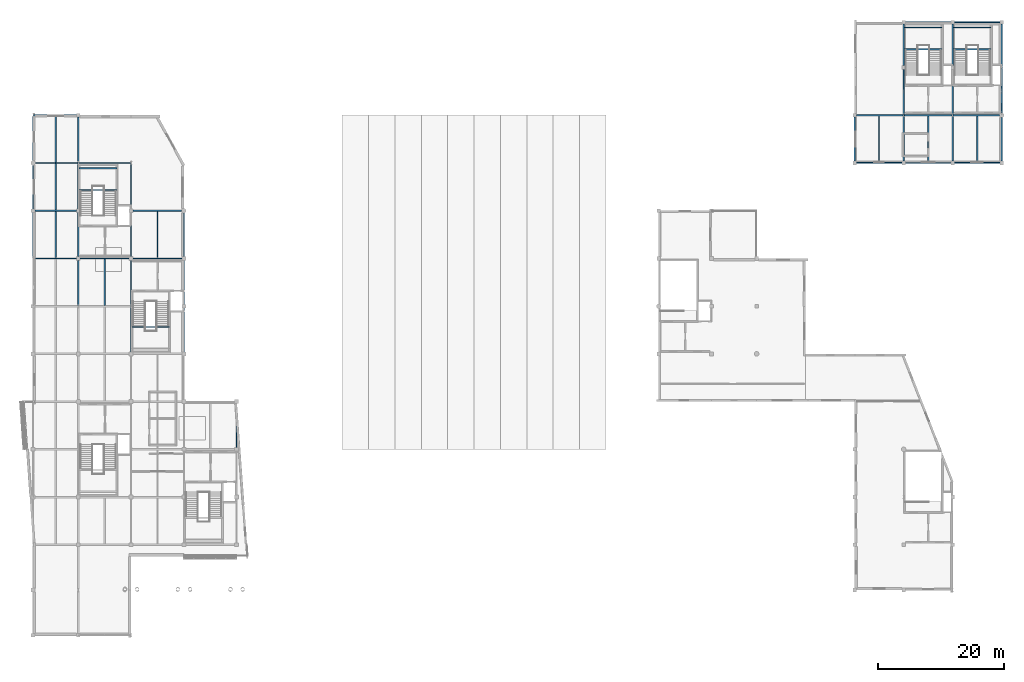
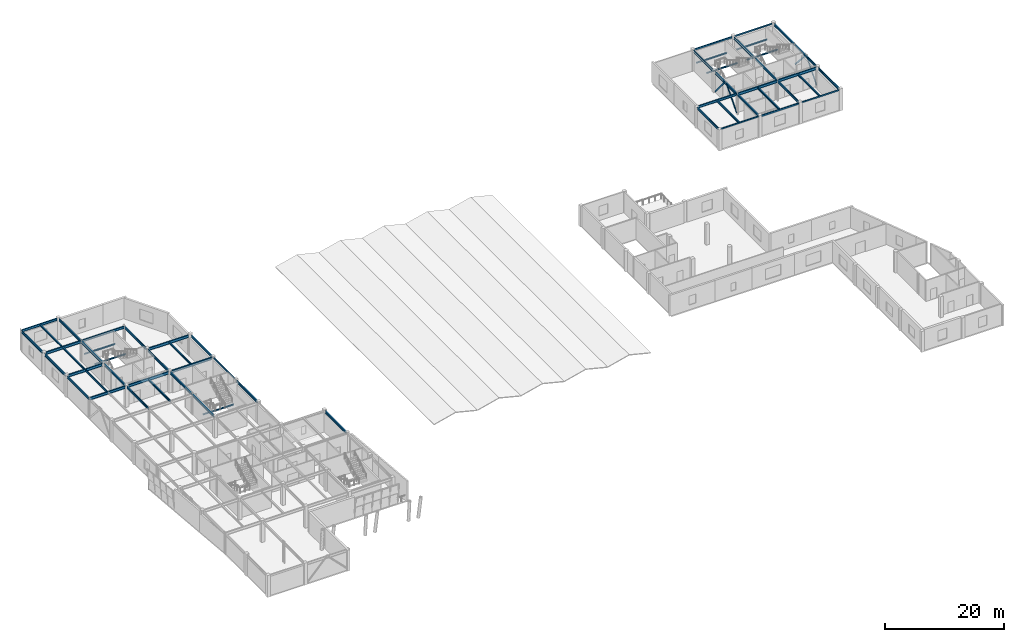
# One storey, part 11 of 28: 56 beams, 4 members.
"""IFC4 building model written with IfcOpenShell, lengths in metres."""

from ifc_helpers import new_model, si_unit, direction, frame, origin, origin_2d, place, context, subcontext, project, spatial, hollow_rectangle, i_section, extrude, material, material_profile, profile_set, type_object, element, save


model = new_model("IFC4")

# Units and contexts
model_context = context("Model", 3, precision=1e-05, world=origin(), true_north=direction((0.0, 1.0)))
body_context = subcontext(model_context, "Body", "Model", "MODEL_VIEW")
ifc_project = project(units=[si_unit("LENGTHUNIT", "METRE"), si_unit("AREAUNIT", "SQUARE_METRE"), si_unit("VOLUMEUNIT", "CUBIC_METRE"), si_unit("PLANEANGLEUNIT", "RADIAN"), si_unit("MASSUNIT", "GRAM", prefix="KILO")], contexts=[model_context])

# Site, building, storey
site_placement = place(None, origin())
site = spatial("IfcSite", under=ifc_project, at=site_placement, CompositionType="ELEMENT")
building_placement = place(site_placement, origin())
building = spatial("IfcBuilding", under=site, at=building_placement, Name="Xicomal Pleat Aquarium", CompositionType="ELEMENT")
storey_placement = place(building_placement, frame((0.0, 0.0, 15.300048828125)))
storey = spatial("IfcBuildingStorey", under=building, at=storey_placement, Name="L04", CompositionType="ELEMENT", Elevation=15.300048828125)

# Beams
ifc_material_1 = material(Name="Structural steel A992 Gr 50", Category="steel")
ifc_material_profile_1 = material_profile(ifc_material_1, i_section(OverallWidth=0.201904296875, OverallDepth=0.2470703125, WebThickness=0.00732421875, FlangeThickness=0.010986328125, at=origin_2d()), Name="IR 250x49")
ifc_profile_set_1 = profile_set([ifc_material_profile_1], Name="Structural steel A992 Gr 50")
beam_type_1 = type_object("IfcBeamType", Name="BM-STL-IR250", PredefinedType="JOIST", material=ifc_profile_set_1)
for number, where, z_axis, x_axis, name in (
    (1, (10.320068359375, 75.14990234375, 1.928955078125), (1.0, 0.0, 0.0), (0.0, 1.0, 0.0), "ST-03-L04 half-landing bearer beam 1"),
    (2, (10.320068359375, 71.7041015625, 1.928955078125), (1.0, 0.0, 0.0), (0.0, 1.0, 0.0), "ST-03-L04 half-landing bearer beam 2"),
    (3, (18.719970703125, 49.89599609375, 1.928955078125), (1.0, 0.0, 0.0), (0.0, 1.0, 0.0), "ST-04-L04 half-landing bearer beam 2"),
    (4, (141.719970703125, 97.550048828125, 1.928955078125), (1.0, 0.0, 0.0), (0.0, 1.0, 0.0), "ST-05-L04 half-landing bearer beam 1"),
    (5, (141.719970703125, 94.10400390625, 1.928955078125), (1.0, 0.0, 0.0), (0.0, 1.0, 0.0), "ST-05-L04 half-landing bearer beam 2"),
    (6, (149.52001953125, 97.550048828125, 1.928955078125), (1.0, 0.0, 0.0), (0.0, 1.0, 0.0), "ST-06-L04 half-landing bearer beam 1"),
    (7, (149.52001953125, 94.10400390625, 1.928955078125), (1.0, 0.0, 0.0), (0.0, 1.0, 0.0), "ST-06-L04 half-landing bearer beam 2"),
):
    element("IfcBeam", number, at=place(storey_placement, frame(where, z_axis=z_axis, x_axis=x_axis)), inside=storey, type_object=beam_type_1, Name=name, PredefinedType="JOIST", context=body_context, shape_type="SweptSolid", body=[
        extrude(i_section(OverallWidth=0.201904296875, OverallDepth=0.2470703125, WebThickness=0.00732421875, FlangeThickness=0.010986328125, at=origin_2d()), origin(), (0.0, 0.0, 1.0), 6.02001953125),
    ])
ifc_material_2 = material(Name="Structural steel A992 Gr 50", Category="steel")
ifc_material_profile_2 = material_profile(ifc_material_2, i_section(OverallWidth=0.202880859375, OverallDepth=0.302978515625, WebThickness=0.007568359375, FlangeThickness=0.01318359375, at=origin_2d()), Name="IR 310x60")
ifc_profile_set_2 = profile_set([ifc_material_profile_2], Name="Structural steel A992 Gr 50")
beam_type_2 = type_object("IfcBeamType", Name="BM-STL-IR310", PredefinedType="JOIST", material=ifc_profile_set_2)
beam_1_placement = place(storey_placement, frame((6.60009765625, 76.10888671875, 4.163330078125), z_axis=(0.0, 1.0, 0.0), x_axis=(-1.0, 0.0, 0.0)))
element("IfcBeam", 8, at=beam_1_placement, inside=storey, type_object=beam_type_2, Name="L04 framing beam FBJ-L04-01-L-1", PredefinedType="JOIST", context=body_context, shape_type="SweptSolid", body=[
    extrude(i_section(OverallWidth=0.202880859375, OverallDepth=0.302978515625, WebThickness=0.007568359375, FlangeThickness=0.01318359375, at=origin_2d()), origin(), (0.0, 0.0, 1.0), 7.39111328125),
])
ifc_material_3 = material(Name="Structural steel A992 Gr 50", Category="steel")
ifc_material_profile_3 = material_profile(ifc_material_3, i_section(OverallWidth=0.205078125, OverallDepth=0.35400390625, WebThickness=0.009521484375, FlangeThickness=0.016845703125, at=origin_2d()), Name="IR 360x79")
ifc_profile_set_3 = profile_set([ifc_material_profile_3], Name="Structural steel A992 Gr 50")
beam_type_3 = type_object("IfcBeamType", Name="BM-STL-IR360", PredefinedType="JOIST", material=ifc_profile_set_3)
for number, where, z_axis, x_axis, name in (
    (9, (6.60009765625, 68.509033203125, 4.113037109375), (0.0, 1.0, 0.0), (-1.0, 0.0, 0.0), "L04 framing beam FBJ-L04-01-K-1"),
    (10, (22.800048828125, 60.908935546875, 4.113037109375), (0.0, 1.0, 0.0), (-1.0, 0.0, 0.0), "L04 framing beam FBJ-L04-03-J-1"),
):
    element("IfcBeam", number, at=place(storey_placement, frame(where, z_axis=z_axis, x_axis=x_axis)), inside=storey, type_object=beam_type_3, Name=name, PredefinedType="JOIST", context=body_context, shape_type="SweptSolid", body=[
        extrude(i_section(OverallWidth=0.205078125, OverallDepth=0.35400390625, WebThickness=0.009521484375, FlangeThickness=0.016845703125, at=origin_2d()), origin(), (0.0, 0.0, 1.0), 7.382080078125),
    ])
beam_2_placement = place(storey_placement, frame((145.5, 76.10302734375, 4.0830078125), z_axis=(0.0, 1.0, 0.0), x_axis=(-1.0, 0.0, 0.0)))
element("IfcBeam", 11, at=beam_2_placement, inside=storey, type_object=beam_type_3, Name="L04 framing beam FBJ-L04-18-L-1", PredefinedType="JOIST", context=body_context, shape_type="SweptSolid", body=[
    extrude(i_section(OverallWidth=0.205078125, OverallDepth=0.35400390625, WebThickness=0.009521484375, FlangeThickness=0.016845703125, at=origin_2d()), origin(), (0.0, 0.0, 1.0), 7.387939453125),
])
beam_3_placement = place(storey_placement, frame((153.300048828125, 76.077880859375, 4.0830078125), z_axis=(0.0, 1.0, 0.0), x_axis=(-1.0, 0.0, 0.0)))
element("IfcBeam", 12, at=beam_3_placement, inside=storey, type_object=beam_type_3, Name="L04 framing beam FBJ-L04-19-L-1", PredefinedType="JOIST", context=body_context, shape_type="SweptSolid", body=[
    extrude(i_section(OverallWidth=0.205078125, OverallDepth=0.35400390625, WebThickness=0.009521484375, FlangeThickness=0.016845703125, at=origin_2d()), origin(), (0.0, 0.0, 1.0), 7.4130859375),
])
ifc_material_4 = material(Name="Structural steel A992 Gr 50", Category="steel")
ifc_material_profile_4 = material_profile(ifc_material_4, i_section(OverallWidth=0.180908203125, OverallDepth=0.4169921875, WebThickness=0.010986328125, FlangeThickness=0.018310546875, at=origin_2d()), Name="IR 410x85")
ifc_profile_set_4 = profile_set([ifc_material_profile_4], Name="Structural steel A992 Gr 50")
beam_type_4 = type_object("IfcBeamType", Name="BM-STL-IR410", PredefinedType="JOIST", material=ifc_profile_set_4)
beam_4_placement = place(storey_placement, frame((6.60009765625, 60.908935546875, 4.08154296875), z_axis=(0.0, 1.0, 0.0), x_axis=(-1.0, 0.0, 0.0)))
element("IfcBeam", 13, at=beam_4_placement, inside=storey, type_object=beam_type_4, Name="L04 framing beam FBJ-L04-01-J-1", PredefinedType="JOIST", context=body_context, shape_type="SweptSolid", body=[
    extrude(i_section(OverallWidth=0.180908203125, OverallDepth=0.4169921875, WebThickness=0.010986328125, FlangeThickness=0.018310546875, at=origin_2d()), origin(), (0.0, 0.0, 1.0), 7.382080078125),
])
beam_5_placement = place(storey_placement, frame((14.39990234375, 53.30908203125, 4.08154296875), z_axis=(0.0, 1.0, 0.0), x_axis=(-1.0, 0.0, 0.0)))
element("IfcBeam", 14, at=beam_5_placement, inside=storey, type_object=beam_type_4, Name="L04 framing beam FBJ-L04-02-H-1", PredefinedType="JOIST", context=body_context, shape_type="SweptSolid", body=[
    extrude(i_section(OverallWidth=0.180908203125, OverallDepth=0.4169921875, WebThickness=0.010986328125, FlangeThickness=0.018310546875, at=origin_2d()), origin(), (0.0, 0.0, 1.0), 7.3818359375),
])
beam_6_placement = place(storey_placement, frame((137.699951171875, 76.077880859375, 4.1015625), z_axis=(0.0, 1.0, 0.0), x_axis=(-1.0, 0.0, 0.0)))
element("IfcBeam", 15, at=beam_6_placement, inside=storey, type_object=beam_type_4, Name="L04 framing beam FBJ-L04-17-L-1", PredefinedType="JOIST", context=body_context, shape_type="SweptSolid", body=[
    extrude(i_section(OverallWidth=0.180908203125, OverallDepth=0.4169921875, WebThickness=0.010986328125, FlangeThickness=0.018310546875, at=origin_2d()), origin(), (0.0, 0.0, 1.0), 7.422119140625),
])
ifc_material_5 = material(Name="Structural steel A992 Gr 50", Category="steel")
ifc_material_profile_5 = material_profile(ifc_material_5, i_section(OverallWidth=0.194091796875, OverallDepth=0.468994140625, WebThickness=0.0126953125, FlangeThickness=0.0205078125, at=origin_2d()), Name="IR 460x106")
ifc_profile_set_5 = profile_set([ifc_material_profile_5], Name="Structural steel A992 Gr 50")
beam_type_5 = type_object("IfcBeamType", Name="BM-STL-IR460", PredefinedType="BEAM", material=ifc_profile_set_5)
beam_7_placement = place(storey_placement, frame((10.2919921875, 76.0, 4.055419921875), z_axis=(1.0, 0.0, 0.0), x_axis=(0.0, 1.0, 0.0)))
element("IfcBeam", 16, at=beam_7_placement, inside=storey, type_object=beam_type_5, Name="L04 framing beam FGX-L04-02-03-L", PredefinedType="BEAM", context=body_context, shape_type="SweptSolid", body=[
    extrude(i_section(OverallWidth=0.194091796875, OverallDepth=0.468994140625, WebThickness=0.0126953125, FlangeThickness=0.0205078125, at=origin_2d()), origin(), (0.0, 0.0, 1.0), 8.216064453125),
])
beam_8_placement = place(storey_placement, frame((3.092041015625, 83.60009765625, 4.08056640625), z_axis=(1.0, 0.0, 0.0), x_axis=(0.0, 1.0, 0.0)))
element("IfcBeam", 17, at=beam_8_placement, inside=storey, type_object=beam_type_5, Name="L04 framing beam FGX-L04-01-02-M", PredefinedType="BEAM", context=body_context, shape_type="SweptSolid", body=[
    extrude(i_section(OverallWidth=0.194091796875, OverallDepth=0.468994140625, WebThickness=0.0126953125, FlangeThickness=0.0205078125, at=origin_2d()), origin(), (0.0, 0.0, 1.0), 6.81298828125),
])
beam_9_placement = place(storey_placement, frame((134.094970703125, 83.60009765625, 4.075439453125), z_axis=(1.0, 0.0, 0.0), x_axis=(0.0, 1.0, 0.0)))
element("IfcBeam", 18, at=beam_9_placement, inside=storey, type_object=beam_type_5, Name="L04 framing beam FGX-L04-17-18-M", PredefinedType="BEAM", context=body_context, shape_type="SweptSolid", body=[
    extrude(i_section(OverallWidth=0.194091796875, OverallDepth=0.468994140625, WebThickness=0.0126953125, FlangeThickness=0.0205078125, at=origin_2d()), origin(), (0.0, 0.0, 1.0), 7.4130859375),
])
beam_10_placement = place(storey_placement, frame((3.0, 60.89208984375, 4.055419921875), z_axis=(0.0, 1.0, 0.0), x_axis=(-1.0, 0.0, 0.0)))
element("IfcBeam", 19, at=beam_10_placement, inside=storey, type_object=beam_type_5, Name="L04 framing beam FGY-L04-01-J-K", PredefinedType="BEAM", context=body_context, shape_type="SweptSolid", body=[
    extrude(i_section(OverallWidth=0.194091796875, OverallDepth=0.468994140625, WebThickness=0.0126953125, FlangeThickness=0.0205078125, at=origin_2d()), origin(), (0.0, 0.0, 1.0), 7.212890625),
])
beam_11_placement = place(storey_placement, frame((3.0, 68.695068359375, 4.055419921875), z_axis=(0.0, 1.0, 0.0), x_axis=(-1.0, 0.0, 0.0)))
element("IfcBeam", 20, at=beam_11_placement, inside=storey, type_object=beam_type_5, Name="L04 framing beam FGY-L04-01-K-L", PredefinedType="BEAM", context=body_context, shape_type="SweptSolid", body=[
    extrude(i_section(OverallWidth=0.194091796875, OverallDepth=0.468994140625, WebThickness=0.0126953125, FlangeThickness=0.0205078125, at=origin_2d()), origin(), (0.0, 0.0, 1.0), 6.934814453125),
])
beam_12_placement = place(storey_placement, frame((3.0, 76.3701171875, 4.08056640625), z_axis=(0.0, 1.0, 0.0), x_axis=(-1.0, 0.0, 0.0)))
element("IfcBeam", 21, at=beam_12_placement, inside=storey, type_object=beam_type_5, Name="L04 framing beam FGY-L04-01-L-M", PredefinedType="BEAM", context=body_context, shape_type="SweptSolid", body=[
    extrude(i_section(OverallWidth=0.194091796875, OverallDepth=0.468994140625, WebThickness=0.0126953125, FlangeThickness=0.0205078125, at=origin_2d()), origin(), (0.0, 0.0, 1.0), 7.137939453125),
])
beam_13_placement = place(storey_placement, frame((10.199951171875, 53.2919921875, 4.055419921875), z_axis=(0.0, 1.0, 0.0), x_axis=(-1.0, 0.0, 0.0)))
element("IfcBeam", 22, at=beam_13_placement, inside=storey, type_object=beam_type_5, Name="L04 framing beam FGY-L04-02-H-J", PredefinedType="BEAM", context=body_context, shape_type="SweptSolid", body=[
    extrude(i_section(OverallWidth=0.194091796875, OverallDepth=0.468994140625, WebThickness=0.0126953125, FlangeThickness=0.0205078125, at=origin_2d()), origin(), (0.0, 0.0, 1.0), 7.212890625),
])
beam_14_placement = place(storey_placement, frame((10.199951171875, 61.094970703125, 4.055419921875), z_axis=(0.0, 1.0, 0.0), x_axis=(-1.0, 0.0, 0.0)))
element("IfcBeam", 23, at=beam_14_placement, inside=storey, type_object=beam_type_5, Name="L04 framing beam FGY-L04-02-J-K", PredefinedType="BEAM", context=body_context, shape_type="SweptSolid", body=[
    extrude(i_section(OverallWidth=0.194091796875, OverallDepth=0.468994140625, WebThickness=0.0126953125, FlangeThickness=0.0205078125, at=origin_2d()), origin(), (0.0, 0.0, 1.0), 7.010009765625),
])
for number, where, z_axis, x_axis, name in (
    (24, (10.199951171875, 68.695068359375, 4.055419921875), (0.0, 1.0, 0.0), (-1.0, 0.0, 0.0), "L04 framing beam FGY-L04-02-K-L"),
    (25, (10.199951171875, 76.092041015625, 4.08056640625), (0.0, 1.0, 0.0), (-1.0, 0.0, 0.0), "L04 framing beam FGY-L04-02-L-M"),
    (26, (18.60009765625, 45.89501953125, 4.055419921875), (0.0, 1.0, 0.0), (-1.0, 0.0, 0.0), "L04 framing beam FGY-L04-03-G-H"),
    (27, (18.60009765625, 53.2919921875, 4.055419921875), (0.0, 1.0, 0.0), (-1.0, 0.0, 0.0), "L04 framing beam FGY-L04-03-H-J"),
):
    element("IfcBeam", number, at=place(storey_placement, frame(where, z_axis=z_axis, x_axis=x_axis)), inside=storey, type_object=beam_type_5, Name=name, PredefinedType="BEAM", context=body_context, shape_type="SweptSolid", body=[
        extrude(i_section(OverallWidth=0.194091796875, OverallDepth=0.468994140625, WebThickness=0.0126953125, FlangeThickness=0.0205078125, at=origin_2d()), origin(), (0.0, 0.0, 1.0), 7.212890625),
    ])
beam_15_placement = place(storey_placement, frame((18.60009765625, 61.094970703125, 4.055419921875), z_axis=(0.0, 1.0, 0.0), x_axis=(-1.0, 0.0, 0.0)))
element("IfcBeam", 28, at=beam_15_placement, inside=storey, type_object=beam_type_5, Name="L04 framing beam FGY-L04-03-J-K", PredefinedType="BEAM", context=body_context, shape_type="SweptSolid", body=[
    extrude(i_section(OverallWidth=0.194091796875, OverallDepth=0.468994140625, WebThickness=0.0126953125, FlangeThickness=0.0205078125, at=origin_2d()), origin(), (0.0, 0.0, 1.0), 7.010009765625),
])
beam_16_placement = place(storey_placement, frame((18.60009765625, 68.695068359375, 4.055419921875), z_axis=(0.0, 1.0, 0.0), x_axis=(-1.0, 0.0, 0.0)))
element("IfcBeam", 29, at=beam_16_placement, inside=storey, type_object=beam_type_5, Name="L04 framing beam FGY-L04-03-K-L", PredefinedType="BEAM", context=body_context, shape_type="SweptSolid", body=[
    extrude(i_section(OverallWidth=0.194091796875, OverallDepth=0.468994140625, WebThickness=0.0126953125, FlangeThickness=0.0205078125, at=origin_2d()), origin(), (0.0, 0.0, 1.0), 7.212890625),
])
beam_17_placement = place(storey_placement, frame((27.0, 45.89501953125, 4.055419921875), z_axis=(0.0, 1.0, 0.0), x_axis=(-1.0, 0.0, 0.0)))
element("IfcBeam", 30, at=beam_17_placement, inside=storey, type_object=beam_type_5, Name="L04 framing beam FGY-L04-04-G-H", PredefinedType="BEAM", context=body_context, shape_type="SweptSolid", body=[
    extrude(i_section(OverallWidth=0.194091796875, OverallDepth=0.468994140625, WebThickness=0.0126953125, FlangeThickness=0.0205078125, at=origin_2d()), origin(), (0.0, 0.0, 1.0), 7.010009765625),
])
beam_18_placement = place(storey_placement, frame((27.0, 61.094970703125, 4.055419921875), z_axis=(0.0, 1.0, 0.0), x_axis=(-1.0, 0.0, 0.0)))
element("IfcBeam", 31, at=beam_18_placement, inside=storey, type_object=beam_type_5, Name="L04 framing beam FGY-L04-04-J-K", PredefinedType="BEAM", context=body_context, shape_type="SweptSolid", body=[
    extrude(i_section(OverallWidth=0.194091796875, OverallDepth=0.468994140625, WebThickness=0.0126953125, FlangeThickness=0.0205078125, at=origin_2d()), origin(), (0.0, 0.0, 1.0), 6.93505859375),
])
for number, where, z_axis, x_axis, name in (
    (32, (35.39990234375, 30.695068359375, 4.055419921875), (0.0, 1.0, 0.0), (-1.0, 0.0, 0.0), "L04 framing beam FGY-L04-05-E-F"),
    (33, (133.800048828125, 76.294921875, 4.075439453125), (0.0, 1.0, 0.0), (-1.0, 0.0, 0.0), "L04 framing beam FGY-L04-17-L-M"),
):
    element("IfcBeam", number, at=place(storey_placement, frame(where, z_axis=z_axis, x_axis=x_axis)), inside=storey, type_object=beam_type_5, Name=name, PredefinedType="BEAM", context=body_context, shape_type="SweptSolid", body=[
        extrude(i_section(OverallWidth=0.194091796875, OverallDepth=0.468994140625, WebThickness=0.0126953125, FlangeThickness=0.0205078125, at=origin_2d()), origin(), (0.0, 0.0, 1.0), 7.010009765625),
    ])
for number, where, z_axis, x_axis, name in (
    (34, (141.60009765625, 76.294921875, 4.025390625), (0.0, 1.0, 0.0), (-1.0, 0.0, 0.0), "L04 framing beam FGY-L04-18-L-M"),
    (35, (141.60009765625, 83.69189453125, 4.025390625), (0.0, 1.0, 0.0), (-1.0, 0.0, 0.0), "L04 framing beam FGY-L04-18-M-N"),
):
    element("IfcBeam", number, at=place(storey_placement, frame(where, z_axis=z_axis, x_axis=x_axis)), inside=storey, type_object=beam_type_5, Name=name, PredefinedType="BEAM", context=body_context, shape_type="SweptSolid", body=[
        extrude(i_section(OverallWidth=0.194091796875, OverallDepth=0.468994140625, WebThickness=0.0126953125, FlangeThickness=0.0205078125, at=origin_2d()), origin(), (0.0, 0.0, 1.0), 7.213134765625),
    ])
beam_19_placement = place(storey_placement, frame((141.60009765625, 91.4951171875, 4.025390625), z_axis=(0.0, 1.0, 0.0), x_axis=(-1.0, 0.0, 0.0)))
element("IfcBeam", 36, at=beam_19_placement, inside=storey, type_object=beam_type_5, Name="L04 framing beam FGY-L04-18-N-P", PredefinedType="BEAM", context=body_context, shape_type="SweptSolid", body=[
    extrude(i_section(OverallWidth=0.194091796875, OverallDepth=0.468994140625, WebThickness=0.0126953125, FlangeThickness=0.0205078125, at=origin_2d()), origin(), (0.0, 0.0, 1.0), 6.60986328125),
])
for number, where, z_axis, x_axis, name in (
    (37, (149.39990234375, 76.294921875, 4.025390625), (0.0, 1.0, 0.0), (-1.0, 0.0, 0.0), "L04 framing beam FGY-L04-19-L-M"),
    (38, (149.39990234375, 83.69189453125, 4.025390625), (0.0, 1.0, 0.0), (-1.0, 0.0, 0.0), "L04 framing beam FGY-L04-19-M-N"),
):
    element("IfcBeam", number, at=place(storey_placement, frame(where, z_axis=z_axis, x_axis=x_axis)), inside=storey, type_object=beam_type_5, Name=name, PredefinedType="BEAM", context=body_context, shape_type="SweptSolid", body=[
        extrude(i_section(OverallWidth=0.194091796875, OverallDepth=0.468994140625, WebThickness=0.0126953125, FlangeThickness=0.0205078125, at=origin_2d()), origin(), (0.0, 0.0, 1.0), 7.213134765625),
    ])
beam_20_placement = place(storey_placement, frame((149.39990234375, 91.4951171875, 4.025390625), z_axis=(0.0, 1.0, 0.0), x_axis=(-1.0, 0.0, 0.0)))
element("IfcBeam", 39, at=beam_20_placement, inside=storey, type_object=beam_type_5, Name="L04 framing beam FGY-L04-19-N-P", PredefinedType="BEAM", context=body_context, shape_type="SweptSolid", body=[
    extrude(i_section(OverallWidth=0.194091796875, OverallDepth=0.468994140625, WebThickness=0.0126953125, FlangeThickness=0.0205078125, at=origin_2d()), origin(), (0.0, 0.0, 1.0), 6.60986328125),
])
beam_21_placement = place(storey_placement, frame((157.199951171875, 76.294921875, 4.025390625), z_axis=(0.0, 1.0, 0.0), x_axis=(-1.0, 0.0, 0.0)))
element("IfcBeam", 40, at=beam_21_placement, inside=storey, type_object=beam_type_5, Name="L04 framing beam FGY-L04-20-L-M", PredefinedType="BEAM", context=body_context, shape_type="SweptSolid", body=[
    extrude(i_section(OverallWidth=0.194091796875, OverallDepth=0.468994140625, WebThickness=0.0126953125, FlangeThickness=0.0205078125, at=origin_2d()), origin(), (0.0, 0.0, 1.0), 6.93505859375),
])
beam_22_placement = place(storey_placement, frame((157.199951171875, 83.969970703125, 4.025390625), z_axis=(0.0, 1.0, 0.0), x_axis=(-1.0, 0.0, 0.0)))
element("IfcBeam", 41, at=beam_22_placement, inside=storey, type_object=beam_type_5, Name="L04 framing beam FGY-L04-20-M-N", PredefinedType="BEAM", context=body_context, shape_type="SweptSolid", body=[
    extrude(i_section(OverallWidth=0.194091796875, OverallDepth=0.468994140625, WebThickness=0.0126953125, FlangeThickness=0.0205078125, at=origin_2d()), origin(), (0.0, 0.0, 1.0), 7.137939453125),
])
beam_23_placement = place(storey_placement, frame((157.199951171875, 91.2919921875, 4.025390625), z_axis=(0.0, 1.0, 0.0), x_axis=(-1.0, 0.0, 0.0)))
element("IfcBeam", 42, at=beam_23_placement, inside=storey, type_object=beam_type_5, Name="L04 framing beam FGY-L04-20-N-P", PredefinedType="BEAM", context=body_context, shape_type="SweptSolid", body=[
    extrude(i_section(OverallWidth=0.194091796875, OverallDepth=0.468994140625, WebThickness=0.0126953125, FlangeThickness=0.0205078125, at=origin_2d()), origin(), (0.0, 0.0, 1.0), 6.81298828125),
])
ifc_material_6 = material(Name="Structural steel A992 Gr 50", Category="steel")
ifc_material_profile_6 = material_profile(ifc_material_6, i_section(OverallWidth=0.2119140625, OverallDepth=0.5439453125, WebThickness=0.01318359375, FlangeThickness=0.021240234375, at=origin_2d()), Name="IR 530x123")
ifc_profile_set_6 = profile_set([ifc_material_profile_6], Name="Structural steel A992 Gr 50")
beam_type_6 = type_object("IfcBeamType", Name="BM-STL-IR530", PredefinedType="BEAM", material=ifc_profile_set_6)
beam_24_placement = place(storey_placement, frame((3.092041015625, 60.800048828125, 4.01806640625), z_axis=(1.0, 0.0, 0.0), x_axis=(0.0, 1.0, 0.0)))
element("IfcBeam", 43, at=beam_24_placement, inside=storey, type_object=beam_type_6, Name="L04 framing beam FGX-L04-01-02-J", PredefinedType="BEAM", context=body_context, shape_type="SweptSolid", body=[
    extrude(i_section(OverallWidth=0.2119140625, OverallDepth=0.5439453125, WebThickness=0.01318359375, FlangeThickness=0.021240234375, at=origin_2d()), origin(), (0.0, 0.0, 1.0), 6.81298828125),
])
beam_25_placement = place(storey_placement, frame((10.4951171875, 60.800048828125, 4.01806640625), z_axis=(1.0, 0.0, 0.0), x_axis=(0.0, 1.0, 0.0)))
element("IfcBeam", 44, at=beam_25_placement, inside=storey, type_object=beam_type_6, Name="L04 framing beam FGX-L04-02-03-J", PredefinedType="BEAM", context=body_context, shape_type="SweptSolid", body=[
    extrude(i_section(OverallWidth=0.2119140625, OverallDepth=0.5439453125, WebThickness=0.01318359375, FlangeThickness=0.021240234375, at=origin_2d()), origin(), (0.0, 0.0, 1.0), 7.809814453125),
])
beam_26_placement = place(storey_placement, frame((18.89501953125, 60.800048828125, 4.01806640625), z_axis=(1.0, 0.0, 0.0), x_axis=(0.0, 1.0, 0.0)))
element("IfcBeam", 45, at=beam_26_placement, inside=storey, type_object=beam_type_6, Name="L04 framing beam FGX-L04-03-04-J", PredefinedType="BEAM", context=body_context, shape_type="SweptSolid", body=[
    extrude(i_section(OverallWidth=0.2119140625, OverallDepth=0.5439453125, WebThickness=0.01318359375, FlangeThickness=0.021240234375, at=origin_2d()), origin(), (0.0, 0.0, 1.0), 7.81005859375),
])
beam_27_placement = place(storey_placement, frame((3.294921875, 68.39990234375, 4.01806640625), z_axis=(1.0, 0.0, 0.0), x_axis=(0.0, 1.0, 0.0)))
element("IfcBeam", 46, at=beam_27_placement, inside=storey, type_object=beam_type_6, Name="L04 framing beam FGX-L04-01-02-K", PredefinedType="BEAM", context=body_context, shape_type="SweptSolid", body=[
    extrude(i_section(OverallWidth=0.2119140625, OverallDepth=0.5439453125, WebThickness=0.01318359375, FlangeThickness=0.021240234375, at=origin_2d()), origin(), (0.0, 0.0, 1.0), 6.610107421875),
])
beam_28_placement = place(storey_placement, frame((18.89501953125, 68.39990234375, 4.01806640625), z_axis=(1.0, 0.0, 0.0), x_axis=(0.0, 1.0, 0.0)))
element("IfcBeam", 47, at=beam_28_placement, inside=storey, type_object=beam_type_6, Name="L04 framing beam FGX-L04-03-04-K", PredefinedType="BEAM", context=body_context, shape_type="SweptSolid", body=[
    extrude(i_section(OverallWidth=0.2119140625, OverallDepth=0.5439453125, WebThickness=0.01318359375, FlangeThickness=0.021240234375, at=origin_2d()), origin(), (0.0, 0.0, 1.0), 7.73486328125),
])
beam_29_placement = place(storey_placement, frame((3.3701171875, 76.0, 4.01806640625), z_axis=(1.0, 0.0, 0.0), x_axis=(0.0, 1.0, 0.0)))
element("IfcBeam", 48, at=beam_29_placement, inside=storey, type_object=beam_type_6, Name="L04 framing beam FGX-L04-01-02-L", PredefinedType="BEAM", context=body_context, shape_type="SweptSolid", body=[
    extrude(i_section(OverallWidth=0.2119140625, OverallDepth=0.5439453125, WebThickness=0.01318359375, FlangeThickness=0.021240234375, at=origin_2d()), origin(), (0.0, 0.0, 1.0), 6.73779296875),
])
beam_30_placement = place(storey_placement, frame((141.69189453125, 83.60009765625, 3.988037109375), z_axis=(1.0, 0.0, 0.0), x_axis=(0.0, 1.0, 0.0)))
element("IfcBeam", 49, at=beam_30_placement, inside=storey, type_object=beam_type_6, Name="L04 framing beam FGX-L04-18-19-M", PredefinedType="BEAM", context=body_context, shape_type="SweptSolid", body=[
    extrude(i_section(OverallWidth=0.2119140625, OverallDepth=0.5439453125, WebThickness=0.01318359375, FlangeThickness=0.021240234375, at=origin_2d()), origin(), (0.0, 0.0, 1.0), 7.6162109375),
])
beam_31_placement = place(storey_placement, frame((149.491943359375, 83.60009765625, 3.988037109375), z_axis=(1.0, 0.0, 0.0), x_axis=(0.0, 1.0, 0.0)))
element("IfcBeam", 50, at=beam_31_placement, inside=storey, type_object=beam_type_6, Name="L04 framing beam FGX-L04-19-20-M", PredefinedType="BEAM", context=body_context, shape_type="SweptSolid", body=[
    extrude(i_section(OverallWidth=0.2119140625, OverallDepth=0.5439453125, WebThickness=0.01318359375, FlangeThickness=0.021240234375, at=origin_2d()), origin(), (0.0, 0.0, 1.0), 7.338134765625),
])
ifc_material_7 = material(Name="Structural steel A500 Gr C", Category="steel")
ifc_material_profile_7 = material_profile(ifc_material_7, hollow_rectangle(XDim=0.14990234375, YDim=0.25, WallThickness=0.010009765625, at=origin_2d()), Name="OR 250x150x10")
ifc_profile_set_7 = profile_set([ifc_material_profile_7], Name="Structural steel A500 Gr C")
beam_type_7 = type_object("IfcBeamType", Name="BM-STL-OR250", PredefinedType="SPANDREL", material=ifc_profile_set_7)
for number, where, z_axis, x_axis, name in (
    (51, (134.094970703125, 76.0, 4.18505859375), (1.0, 0.0, 0.0), (0.0, 1.0, 0.0), "L04 framing beam FGX-L04-17-18-L"),
    (52, (149.695068359375, 76.0, 4.135009765625), (1.0, 0.0, 0.0), (0.0, 1.0, 0.0), "L04 framing beam FGX-L04-19-20-L"),
    (53, (149.695068359375, 98.39990234375, 4.135009765625), (1.0, 0.0, 0.0), (0.0, 1.0, 0.0), "L04 framing beam FGX-L04-19-20-P"),
):
    element("IfcBeam", number, at=place(storey_placement, frame(where, z_axis=z_axis, x_axis=x_axis)), inside=storey, type_object=beam_type_7, Name=name, PredefinedType="SPANDREL", context=body_context, shape_type="SweptSolid", body=[
        extrude(hollow_rectangle(XDim=0.14990234375, YDim=0.25, WallThickness=0.010009765625, at=origin_2d()), origin(), (0.0, 0.0, 1.0), 7.2099609375),
    ])
beam_32_placement = place(storey_placement, frame((27.0, 53.4951171875, 4.1650390625), z_axis=(0.0, 1.0, 0.0), x_axis=(-1.0, 0.0, 0.0)))
element("IfcBeam", 54, at=beam_32_placement, inside=storey, type_object=beam_type_7, Name="L04 framing beam FGY-L04-04-H-J", PredefinedType="SPANDREL", context=body_context, shape_type="SweptSolid", body=[
    extrude(hollow_rectangle(XDim=0.14990234375, YDim=0.25, WallThickness=0.010009765625, at=origin_2d()), origin(), (0.0, 0.0, 1.0), 7.009765625),
])
ifc_material_8 = material(Name="Structural steel A500 Gr C", Category="steel")
ifc_material_profile_8 = material_profile(ifc_material_8, hollow_rectangle(XDim=0.199951171875, YDim=0.300048828125, WallThickness=0.011962890625, at=origin_2d()), Name="OR 300x200x12")
ifc_profile_set_8 = profile_set([ifc_material_profile_8], Name="Structural steel A500 Gr C")
beam_type_8 = type_object("IfcBeamType", Name="BM-STL-OR300", PredefinedType="SPANDREL", material=ifc_profile_set_8)
for number, where, z_axis, x_axis, name in (
    (55, (141.89501953125, 76.0, 4.10986328125), (1.0, 0.0, 0.0), (0.0, 1.0, 0.0), "L04 framing beam FGX-L04-18-19-L"),
    (56, (141.89501953125, 98.39990234375, 4.10986328125), (1.0, 0.0, 0.0), (0.0, 1.0, 0.0), "L04 framing beam FGX-L04-18-19-P"),
):
    element("IfcBeam", number, at=place(storey_placement, frame(where, z_axis=z_axis, x_axis=x_axis)), inside=storey, type_object=beam_type_8, Name=name, PredefinedType="SPANDREL", context=body_context, shape_type="SweptSolid", body=[
        extrude(hollow_rectangle(XDim=0.199951171875, YDim=0.300048828125, WallThickness=0.011962890625, at=origin_2d()), origin(), (0.0, 0.0, 1.0), 7.2099609375),
    ])

# Members
ifc_material_9 = material(Name="Structural steel A500 Gr C", Category="steel")
ifc_material_profile_9 = material_profile(ifc_material_9, hollow_rectangle(XDim=0.14990234375, YDim=0.25, WallThickness=0.010009765625, at=origin_2d()), Name="OR 250x150x10")
ifc_profile_set_9 = profile_set([ifc_material_profile_9], Name="Structural steel A500 Gr C")
member_type = type_object("IfcMemberType", Name="MEM-BR-OR250", PredefinedType="BRACE", material=ifc_profile_set_9)
member_1_placement = place(storey_placement, frame((157.199951171875, 83.955078125, 0.14990234375), z_axis=(0.0, 0.635799720347, 0.771854076628), x_axis=(-1.0, 0.0, 0.0)))
element("IfcMember", 57, at=member_1_placement, inside=storey, type_object=member_type, Name="L04 chevron brace 25A", PredefinedType="BRACE", context=body_context, shape_type="SweptSolid", body=[
    extrude(hollow_rectangle(XDim=0.14990234375, YDim=0.25, WallThickness=0.010009765625, at=origin_2d()), origin(), (0.0, 0.0, 1.0), 5.182373046875),
])
for number, where, z_axis, x_axis, name in (
    (58, (157.199951171875, 91.123046875, 0.14990234375), (0.0, -0.66617857709, 0.745792265599), (1.0, 0.0, 0.0), "L04 chevron brace 25B"),
    (59, (141.60009765625, 83.677001953125, 0.14990234375), (0.0, 0.66617857709, 0.745792265599), (-1.0, 0.0, 0.0), "L04 chevron brace 30A"),
):
    element("IfcMember", number, at=place(storey_placement, frame(where, z_axis=z_axis, x_axis=x_axis)), inside=storey, type_object=member_type, Name=name, PredefinedType="BRACE", context=body_context, shape_type="SweptSolid", body=[
        extrude(hollow_rectangle(XDim=0.14990234375, YDim=0.25, WallThickness=0.010009765625, at=origin_2d()), origin(), (0.0, 0.0, 1.0), 5.363525390625),
    ])
member_2_placement = place(storey_placement, frame((141.60009765625, 90.919921875, 0.14990234375), z_axis=(0.0, -0.644298159031, 0.764774399591), x_axis=(1.0, 0.0, 0.0)))
element("IfcMember", 60, at=member_2_placement, inside=storey, type_object=member_type, Name="L04 chevron brace 30B", PredefinedType="BRACE", context=body_context, shape_type="SweptSolid", body=[
    extrude(hollow_rectangle(XDim=0.14990234375, YDim=0.25, WallThickness=0.010009765625, at=origin_2d()), origin(), (0.0, 0.0, 1.0), 5.230224609375),
])

save(model, "model.ifc")
